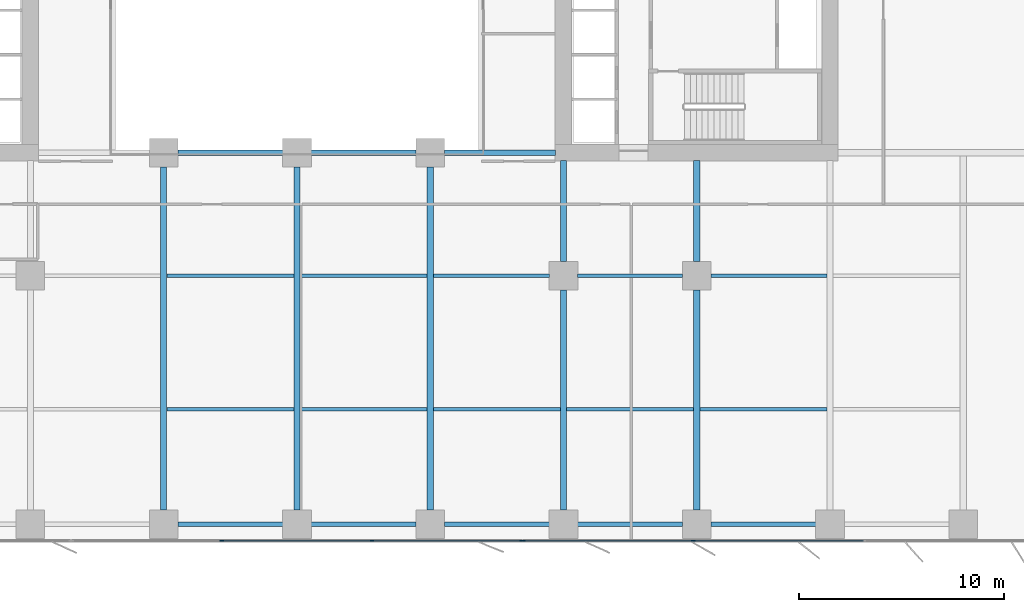
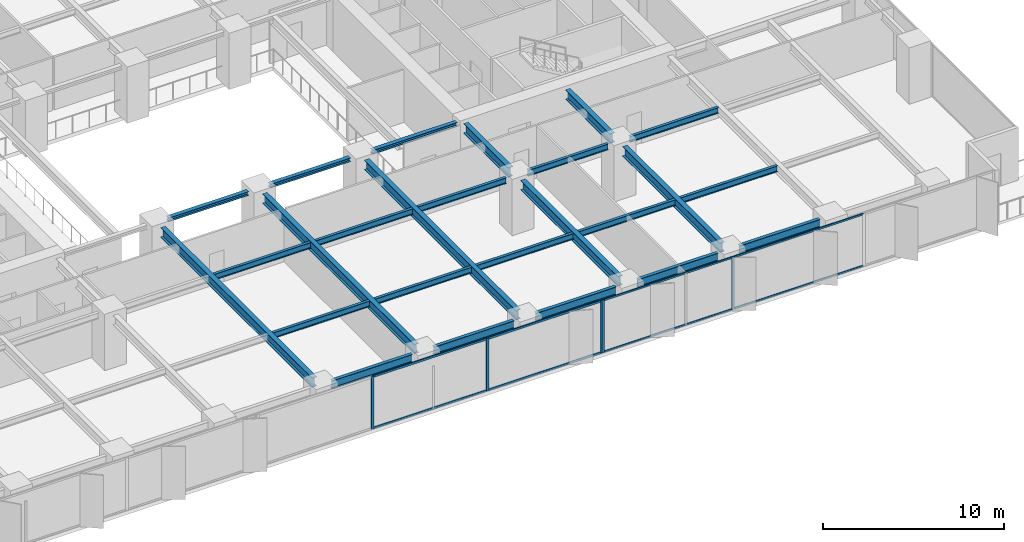
# One storey, part 5 of 20: 25 beams, 13 members, 2 elements without a shape of their own.
"""IFC4 building model written with IfcOpenShell, lengths in metres."""

from ifc_helpers import new_model, si_unit, direction, frame, origin, origin_2d, place, context, subcontext, project, spatial, rectangle, i_section, extrude, material, layer, layer_set, material_profile, profile_set, type_object, element, aggregate, save


model = new_model("IFC4")

# Units and contexts
model_context = context("Model", 3, precision=1e-05, world=origin(), true_north=direction((0.0, 1.0)))
body_context = subcontext(model_context, "Body", "Model", "MODEL_VIEW")
ifc_project = project(units=[si_unit("LENGTHUNIT", "METRE"), si_unit("AREAUNIT", "SQUARE_METRE"), si_unit("VOLUMEUNIT", "CUBIC_METRE"), si_unit("PLANEANGLEUNIT", "RADIAN"), si_unit("MASSUNIT", "GRAM", prefix="KILO")], contexts=[model_context])

# Site, building, storey
site_placement = place(None, origin())
site = spatial("IfcSite", under=ifc_project, at=site_placement, CompositionType="ELEMENT")
building_placement = place(site_placement, origin())
building = spatial("IfcBuilding", under=site, at=building_placement, Name="Putna Gate Headquarters", CompositionType="ELEMENT")
storey_placement = place(building_placement, frame((0.0, 0.0, 46.800048828125)))
storey = spatial("IfcBuildingStorey", under=building, at=storey_placement, Name="L10", CompositionType="ELEMENT", Elevation=46.800048828125)

# Beams
ifc_material_1 = material(Name="Steel S355J2", Category="steel")
ifc_material_profile_1 = material_profile(ifc_material_1, i_section(OverallWidth=0.260009765625, OverallDepth=0.260009765625, WebThickness=0.010009765625, FlangeThickness=0.017578125, at=origin_2d()), Name="Steel S355J2")
ifc_profile_set_1 = profile_set([ifc_material_profile_1], Name="Steel S355J2")
beam_type_1 = type_object("IfcBeamType", Name="BM-ATRIUM-HEB260", PredefinedType="BEAM", material=ifc_profile_set_1)
for number, where, z_axis, x_axis, name in (
    (1, (33.18798828125, 19.0, 3.419921875), (1.0, 0.0, 0.0), (0.0, 1.0, 0.0), "L10 Atrium Edge Beam AS2"),
    (2, (39.68798828125, 19.0, 3.419921875), (1.0, 0.0, 0.0), (0.0, 1.0, 0.0), "L10 Atrium Edge Beam AS3"),
):
    element("IfcBeam", number, at=place(storey_placement, frame(where, z_axis=z_axis, x_axis=x_axis)), inside=storey, type_object=beam_type_1, Name=name, PredefinedType="BEAM", context=body_context, shape_type="SweptSolid", body=[
        extrude(i_section(OverallWidth=0.260009765625, OverallDepth=0.260009765625, WebThickness=0.010009765625, FlangeThickness=0.017578125, at=origin_2d()), origin(), (0.0, 0.0, 1.0), 5.1240234375),
    ])
beam_1_placement = place(storey_placement, frame((46.18798828125, 19.0, 3.419921875), z_axis=(1.0, 0.0, 0.0), x_axis=(0.0, 1.0, 0.0)))
element("IfcBeam", 3, at=beam_1_placement, inside=storey, type_object=beam_type_1, Name="L10 Atrium Edge Beam AS4", PredefinedType="BEAM", context=body_context, shape_type="SweptSolid", body=[
    extrude(i_section(OverallWidth=0.260009765625, OverallDepth=0.260009765625, WebThickness=0.010009765625, FlangeThickness=0.017578125, at=origin_2d()), origin(), (0.0, 0.0, 1.0), 5.427001953125),
])
ifc_material_profile_2 = material_profile(ifc_material_1, i_section(OverallWidth=0.300048828125, OverallDepth=0.64990234375, WebThickness=0.01611328125, FlangeThickness=0.031005859375, at=origin_2d()), Name="Steel S355J2")
ifc_profile_set_2 = profile_set([ifc_material_profile_2], Name="Steel S355J2")
beam_type_2 = type_object("IfcBeamType", Name="BM-GIRD-Z1-HEB650", PredefinedType="USERDEFINED", material=ifc_profile_set_2)
for number, where, z_axis, x_axis, name in (
    (4, (32.5, 1.568115234375, 3.224853515625), (0.0, 1.0, 0.0), (-1.0, 0.0, 0.0), "L10 South Primary Girder X32"),
    (5, (39.0, 1.568115234375, 3.224853515625), (0.0, 1.0, 0.0), (-1.0, 0.0, 0.0), "L10 South Primary Girder X39"),
    (6, (45.5, 1.568115234375, 3.224853515625), (0.0, 1.0, 0.0), (-1.0, 0.0, 0.0), "L10 South Primary Girder X45"),
):
    element("IfcBeam", number, at=place(storey_placement, frame(where, z_axis=z_axis, x_axis=x_axis)), inside=storey, type_object=beam_type_2, Name=name, ObjectType="GIRDER", PredefinedType="USERDEFINED", context=body_context, shape_type="SweptSolid", body=[
        extrude(i_section(OverallWidth=0.300048828125, OverallDepth=0.64990234375, WebThickness=0.01611328125, FlangeThickness=0.031005859375, at=origin_2d()), origin(), (0.0, 0.0, 1.0), 16.743896484375),
    ])
beam_2_placement = place(storey_placement, frame((52.0, 1.568115234375, 3.224853515625), z_axis=(0.0, 1.0, 0.0), x_axis=(-1.0, 0.0, 0.0)))
element("IfcBeam", 7, at=beam_2_placement, inside=storey, type_object=beam_type_2, Name="L10 South Primary Girder X52-1", ObjectType="GIRDER", PredefinedType="USERDEFINED", context=body_context, shape_type="SweptSolid", body=[
    extrude(i_section(OverallWidth=0.300048828125, OverallDepth=0.64990234375, WebThickness=0.01611328125, FlangeThickness=0.031005859375, at=origin_2d()), origin(), (0.0, 0.0, 1.0), 10.743896484375),
])
beam_3_placement = place(storey_placement, frame((52.0, 13.68798828125, 3.224853515625), z_axis=(0.0, 1.0, 0.0), x_axis=(-1.0, 0.0, 0.0)))
element("IfcBeam", 8, at=beam_3_placement, inside=storey, type_object=beam_type_2, Name="L10 South Primary Girder X52-2", ObjectType="GIRDER", PredefinedType="USERDEFINED", context=body_context, shape_type="SweptSolid", body=[
    extrude(i_section(OverallWidth=0.300048828125, OverallDepth=0.64990234375, WebThickness=0.01611328125, FlangeThickness=0.031005859375, at=origin_2d()), origin(), (0.0, 0.0, 1.0), 4.927001953125),
])
beam_4_placement = place(storey_placement, frame((58.5, 1.568115234375, 3.224853515625), z_axis=(0.0, 1.0, 0.0), x_axis=(-1.0, 0.0, 0.0)))
element("IfcBeam", 9, at=beam_4_placement, inside=storey, type_object=beam_type_2, Name="L10 South Primary Girder X58-1", ObjectType="GIRDER", PredefinedType="USERDEFINED", context=body_context, shape_type="SweptSolid", body=[
    extrude(i_section(OverallWidth=0.300048828125, OverallDepth=0.64990234375, WebThickness=0.01611328125, FlangeThickness=0.031005859375, at=origin_2d()), origin(), (0.0, 0.0, 1.0), 10.743896484375),
])
beam_5_placement = place(storey_placement, frame((58.5, 13.68798828125, 3.224853515625), z_axis=(0.0, 1.0, 0.0), x_axis=(-1.0, 0.0, 0.0)))
element("IfcBeam", 10, at=beam_5_placement, inside=storey, type_object=beam_type_2, Name="L10 South Primary Girder X58-2", ObjectType="GIRDER", PredefinedType="USERDEFINED", context=body_context, shape_type="SweptSolid", body=[
    extrude(i_section(OverallWidth=0.300048828125, OverallDepth=0.64990234375, WebThickness=0.01611328125, FlangeThickness=0.031005859375, at=origin_2d()), origin(), (0.0, 0.0, 1.0), 4.927001953125),
])
ifc_material_profile_3 = material_profile(ifc_material_1, i_section(OverallWidth=0.179931640625, OverallDepth=0.39990234375, WebThickness=0.008544921875, FlangeThickness=0.013427734375, at=origin_2d()), Name="Steel S355J2")
ifc_profile_set_3 = profile_set([ifc_material_profile_3], Name="Steel S355J2")
beam_type_3 = type_object("IfcBeamType", Name="BM-SEC-Z1-IPE400", PredefinedType="BEAM", material=ifc_profile_set_3)
for number, where, z_axis, x_axis, name in (
    (11, (32.654052734375, 6.5, 3.349853515625), (1.0, 0.0, 0.0), (0.0, 1.0, 0.0), "L10 South Secondary Beam 5"),
    (12, (32.654052734375, 13.0, 3.349853515625), (1.0, 0.0, 0.0), (0.0, 1.0, 0.0), "L10 South Secondary Beam 5"),
    (13, (39.154052734375, 6.5, 3.349853515625), (1.0, 0.0, 0.0), (0.0, 1.0, 0.0), "L10 South Secondary Beam 6"),
    (14, (39.154052734375, 13.0, 3.349853515625), (1.0, 0.0, 0.0), (0.0, 1.0, 0.0), "L10 South Secondary Beam 6"),
    (15, (45.654052734375, 6.5, 3.349853515625), (1.0, 0.0, 0.0), (0.0, 1.0, 0.0), "L10 South Secondary Beam 7"),
):
    element("IfcBeam", number, at=place(storey_placement, frame(where, z_axis=z_axis, x_axis=x_axis)), inside=storey, type_object=beam_type_3, Name=name, PredefinedType="BEAM", context=body_context, shape_type="SweptSolid", body=[
        extrude(i_section(OverallWidth=0.179931640625, OverallDepth=0.39990234375, WebThickness=0.008544921875, FlangeThickness=0.013427734375, at=origin_2d()), origin(), (0.0, 0.0, 1.0), 6.19189453125),
    ])
beam_6_placement = place(storey_placement, frame((45.654052734375, 13.0, 3.349853515625), z_axis=(1.0, 0.0, 0.0), x_axis=(0.0, 1.0, 0.0)))
element("IfcBeam", 16, at=beam_6_placement, inside=storey, type_object=beam_type_3, Name="L10 South Secondary Beam 7", PredefinedType="BEAM", context=body_context, shape_type="SweptSolid", body=[
    extrude(i_section(OverallWidth=0.179931640625, OverallDepth=0.39990234375, WebThickness=0.008544921875, FlangeThickness=0.013427734375, at=origin_2d()), origin(), (0.0, 0.0, 1.0), 5.657958984375),
])
beam_7_placement = place(storey_placement, frame((52.154052734375, 6.5, 3.349853515625), z_axis=(1.0, 0.0, 0.0), x_axis=(0.0, 1.0, 0.0)))
element("IfcBeam", 17, at=beam_7_placement, inside=storey, type_object=beam_type_3, Name="L10 South Secondary Beam 8", PredefinedType="BEAM", context=body_context, shape_type="SweptSolid", body=[
    extrude(i_section(OverallWidth=0.179931640625, OverallDepth=0.39990234375, WebThickness=0.008544921875, FlangeThickness=0.013427734375, at=origin_2d()), origin(), (0.0, 0.0, 1.0), 6.19189453125),
])
beam_8_placement = place(storey_placement, frame((52.68798828125, 13.0, 3.349853515625), z_axis=(1.0, 0.0, 0.0), x_axis=(0.0, 1.0, 0.0)))
element("IfcBeam", 18, at=beam_8_placement, inside=storey, type_object=beam_type_3, Name="L10 South Secondary Beam 8", PredefinedType="BEAM", context=body_context, shape_type="SweptSolid", body=[
    extrude(i_section(OverallWidth=0.179931640625, OverallDepth=0.39990234375, WebThickness=0.008544921875, FlangeThickness=0.013427734375, at=origin_2d()), origin(), (0.0, 0.0, 1.0), 5.1240234375),
])
beam_9_placement = place(storey_placement, frame((58.654052734375, 6.5, 3.349853515625), z_axis=(1.0, 0.0, 0.0), x_axis=(0.0, 1.0, 0.0)))
element("IfcBeam", 19, at=beam_9_placement, inside=storey, type_object=beam_type_3, Name="L10 South Secondary Beam 9", PredefinedType="BEAM", context=body_context, shape_type="SweptSolid", body=[
    extrude(i_section(OverallWidth=0.179931640625, OverallDepth=0.39990234375, WebThickness=0.008544921875, FlangeThickness=0.013427734375, at=origin_2d()), origin(), (0.0, 0.0, 1.0), 6.19189453125),
])
beam_10_placement = place(storey_placement, frame((59.18798828125, 13.0, 3.349853515625), z_axis=(1.0, 0.0, 0.0), x_axis=(0.0, 1.0, 0.0)))
element("IfcBeam", 20, at=beam_10_placement, inside=storey, type_object=beam_type_3, Name="L10 South Secondary Beam 9", PredefinedType="BEAM", context=body_context, shape_type="SweptSolid", body=[
    extrude(i_section(OverallWidth=0.179931640625, OverallDepth=0.39990234375, WebThickness=0.008544921875, FlangeThickness=0.013427734375, at=origin_2d()), origin(), (0.0, 0.0, 1.0), 5.657958984375),
])
ifc_material_profile_4 = material_profile(ifc_material_1, i_section(OverallWidth=0.2099609375, OverallDepth=0.550048828125, WebThickness=0.010986328125, FlangeThickness=0.01708984375, at=origin_2d()), Name="Steel S355J2")
ifc_profile_set_4 = profile_set([ifc_material_profile_4], Name="Steel S355J2")
beam_type_4 = type_object("IfcBeamType", Name="BM-SPAN-Z1-IPE550", PredefinedType="SPANDREL", material=ifc_profile_set_4)
for number, where, z_axis, x_axis, name in (
    (21, (33.18798828125, 0.8798828125, 3.27490234375), (1.0, 0.0, 0.0), (0.0, 1.0, 0.0), "L10 S Perimeter Spandrel 5"),
    (22, (39.68798828125, 0.8798828125, 3.27490234375), (1.0, 0.0, 0.0), (0.0, 1.0, 0.0), "L10 S Perimeter Spandrel 6"),
    (23, (46.18798828125, 0.8798828125, 3.27490234375), (1.0, 0.0, 0.0), (0.0, 1.0, 0.0), "L10 S Perimeter Spandrel 7"),
    (24, (52.68798828125, 0.8798828125, 3.27490234375), (1.0, 0.0, 0.0), (0.0, 1.0, 0.0), "L10 S Perimeter Spandrel 8"),
    (25, (59.18798828125, 0.8798828125, 3.27490234375), (1.0, 0.0, 0.0), (0.0, 1.0, 0.0), "L10 S Perimeter Spandrel 9"),
):
    element("IfcBeam", number, at=place(storey_placement, frame(where, z_axis=z_axis, x_axis=x_axis)), inside=storey, type_object=beam_type_4, Name=name, PredefinedType="SPANDREL", context=body_context, shape_type="SweptSolid", body=[
        extrude(i_section(OverallWidth=0.2099609375, OverallDepth=0.550048828125, WebThickness=0.010986328125, FlangeThickness=0.01708984375, at=origin_2d()), origin(), (0.0, 0.0, 1.0), 5.1240234375),
    ])

# Curtain wall, members
ifc_material_2 = material(Name="Anodised bronze aluminium curtain wall", Category="aluminium")
ifc_layer_1 = layer(ifc_material_2, 0.179931640625)
ifc_layer_set_1 = layer_set([ifc_layer_1], Name="Anodised bronze aluminium curtain wall")
curtain_wall_type_1 = type_object("IfcCurtainWallType", Name="CW-SYS-Z1", PredefinedType="USERDEFINED", material=ifc_layer_set_1)
curtain_wall_1_placement = place(storey_placement, origin())
curtain_wall_1 = element("IfcCurtainWall", 26, at=curtain_wall_1_placement, inside=storey, type_object=curtain_wall_type_1, Name="L10 South East Curtain Wall", ObjectType="STICK CURTAIN WALL", PredefinedType="USERDEFINED")
ifc_material_3 = material(Name="Anodised bronze aluminium EN AW-6060", Category="aluminium")
ifc_material_profile_5 = material_profile(ifc_material_3, rectangle(XDim=0.070068359375, YDim=0.179931640625, at=origin_2d()), Name="Anodised bronze aluminium EN AW-6060")
ifc_profile_set_5 = profile_set([ifc_material_profile_5], Name="Anodised bronze aluminium EN AW-6060")
member_type_1 = type_object("IfcMemberType", Name="MULL-CWM-1", PredefinedType="MULLION", material=ifc_profile_set_5)
member_1_placement = place(storey_placement, frame((50.034912109375, 0.080078125, 0.0), z_axis=(0.0, 0.0, 1.0), x_axis=(0.0, 1.0, 0.0)))
member_1 = element("IfcMember", 27, at=member_1_placement, type_object=member_type_1, Name="CWS-1 mullion 1", PredefinedType="MULLION", context=body_context, shape_type="SweptSolid", body=[
    extrude(rectangle(XDim=0.070068359375, YDim=0.179931640625, at=origin_2d()), origin(), (0.0, 0.0, 1.0), 3.550048828125),
])
member_2_placement = place(storey_placement, frame((58.333251953125, 0.080078125, 0.0), z_axis=(0.0, 0.0, 1.0), x_axis=(0.0, 1.0, 0.0)))
member_2 = element("IfcMember", 28, at=member_2_placement, type_object=member_type_1, Name="CWS-1 mullion 2", PredefinedType="MULLION", context=body_context, shape_type="SweptSolid", body=[
    extrude(rectangle(XDim=0.070068359375, YDim=0.179931640625, at=origin_2d()), origin(), (0.0, 0.0, 1.0), 3.550048828125),
])

ifc_layer_2 = layer(ifc_material_2, 0.179931640625)
ifc_layer_set_2 = layer_set([ifc_layer_2], Name="Anodised bronze aluminium curtain wall")
curtain_wall_type_2 = type_object("IfcCurtainWallType", Name="CW-SYS-ATR", PredefinedType="USERDEFINED", material=ifc_layer_set_2)
curtain_wall_2_placement = place(storey_placement, origin())
curtain_wall_2 = element("IfcCurtainWall", 29, at=curtain_wall_2_placement, inside=storey, type_object=curtain_wall_type_2, Name="L10 South Atrium Clear Glazing", ObjectType="ATRIUM GLAZING", PredefinedType="USERDEFINED")
ifc_material_profile_6 = material_profile(ifc_material_3, rectangle(XDim=0.070068359375, YDim=0.179931640625, at=origin_2d()), Name="Anodised bronze aluminium EN AW-6060")
ifc_profile_set_6 = profile_set([ifc_material_profile_6], Name="Anodised bronze aluminium EN AW-6060")
member_type_2 = type_object("IfcMemberType", Name="MULL-CWM-AT", PredefinedType="MULLION", material=ifc_profile_set_6)
member_3_placement = place(storey_placement, frame((35.333251953125, 0.080078125, 0.0), z_axis=(0.0, 0.0, 1.0), x_axis=(0.0, 1.0, 0.0)))
member_3 = element("IfcMember", 30, at=member_3_placement, type_object=member_type_2, Name="CWS-AT mullion 2", PredefinedType="MULLION", context=body_context, shape_type="SweptSolid", body=[
    extrude(rectangle(XDim=0.070068359375, YDim=0.179931640625, at=origin_2d()), origin(), (0.0, 0.0, 1.0), 3.550048828125),
])
member_4_placement = place(storey_placement, frame((42.666748046875, 0.080078125, 0.0), z_axis=(0.0, 0.0, 1.0), x_axis=(0.0, 1.0, 0.0)))
member_4 = element("IfcMember", 31, at=member_4_placement, type_object=member_type_2, Name="CWS-AT mullion 3", PredefinedType="MULLION", context=body_context, shape_type="SweptSolid", body=[
    extrude(rectangle(XDim=0.070068359375, YDim=0.179931640625, at=origin_2d()), origin(), (0.0, 0.0, 1.0), 3.550048828125),
])
member_5_placement = place(storey_placement, frame((49.965087890625, 0.080078125, 0.0), z_axis=(0.0, 0.0, 1.0), x_axis=(0.0, 1.0, 0.0)))
member_5 = element("IfcMember", 32, at=member_5_placement, type_object=member_type_2, Name="CWS-AT mullion 4", PredefinedType="MULLION", context=body_context, shape_type="SweptSolid", body=[
    extrude(rectangle(XDim=0.070068359375, YDim=0.179931640625, at=origin_2d()), origin(), (0.0, 0.0, 1.0), 3.550048828125),
])

# Member
ifc_material_profile_7 = material_profile(ifc_material_3, rectangle(XDim=0.06494140625, YDim=0.1201171875, at=origin_2d()), Name="Anodised bronze aluminium EN AW-6060")
ifc_profile_set_7 = profile_set([ifc_material_profile_7], Name="Anodised bronze aluminium EN AW-6060")
member_type_3 = type_object("IfcMemberType", Name="TRAN-CWT-1", PredefinedType="USERDEFINED", material=ifc_profile_set_7)
member_6_placement = place(storey_placement, frame((50.070068359375, 0.080078125, 0.032470703125), z_axis=(1.0, 0.0, 0.0), x_axis=(0.0, 1.0, 0.0)))
member_6 = element("IfcMember", 33, at=member_6_placement, type_object=member_type_3, Name="CWS-1 transom 1.1", ObjectType="TRANSOM", PredefinedType="USERDEFINED", context=body_context, shape_type="SweptSolid", body=[
    extrude(rectangle(XDim=0.06494140625, YDim=0.1201171875, at=origin_2d()), origin(), (0.0, 0.0, 1.0), 8.228271484375),
])

member_7_placement = place(storey_placement, frame((50.070068359375, 0.080078125, 3.517333984375), z_axis=(1.0, 0.0, 0.0), x_axis=(0.0, 1.0, 0.0)))
member_7 = element("IfcMember", 34, at=member_7_placement, type_object=member_type_3, Name="CWS-1 transom 1.2", ObjectType="TRANSOM", PredefinedType="USERDEFINED", context=body_context, shape_type="SweptSolid", body=[
    extrude(rectangle(XDim=0.06494140625, YDim=0.1201171875, at=origin_2d()), origin(), (0.0, 0.0, 1.0), 8.228271484375),
])

member_8_placement = place(storey_placement, frame((58.368408203125, 0.080078125, 0.032470703125), z_axis=(1.0, 0.0, 0.0), x_axis=(0.0, 1.0, 0.0)))
member_8 = element("IfcMember", 35, at=member_8_placement, type_object=member_type_3, Name="CWS-1 transom 2.1", ObjectType="TRANSOM", PredefinedType="USERDEFINED", context=body_context, shape_type="SweptSolid", body=[
    extrude(rectangle(XDim=0.06494140625, YDim=0.1201171875, at=origin_2d()), origin(), (0.0, 0.0, 1.0), 8.26318359375),
])

member_9_placement = place(storey_placement, frame((58.368408203125, 0.080078125, 3.517333984375), z_axis=(1.0, 0.0, 0.0), x_axis=(0.0, 1.0, 0.0)))
member_9 = element("IfcMember", 36, at=member_9_placement, type_object=member_type_3, Name="CWS-1 transom 2.2", ObjectType="TRANSOM", PredefinedType="USERDEFINED", context=body_context, shape_type="SweptSolid", body=[
    extrude(rectangle(XDim=0.06494140625, YDim=0.1201171875, at=origin_2d()), origin(), (0.0, 0.0, 1.0), 8.26318359375),
])

aggregate(curtain_wall_1, [member_1, member_2, member_6, member_7, member_8, member_9])

ifc_material_profile_8 = material_profile(ifc_material_3, rectangle(XDim=0.070068359375, YDim=0.139892578125, at=origin_2d()), Name="Anodised bronze aluminium EN AW-6060")
ifc_profile_set_8 = profile_set([ifc_material_profile_8], Name="Anodised bronze aluminium EN AW-6060")
member_type_4 = type_object("IfcMemberType", Name="TRAN-CWT-AT", PredefinedType="USERDEFINED", material=ifc_profile_set_8)
member_10_placement = place(storey_placement, frame((35.368408203125, 0.080078125, 0.034912109375), z_axis=(1.0, 0.0, 0.0), x_axis=(0.0, 1.0, 0.0)))
member_10 = element("IfcMember", 37, at=member_10_placement, type_object=member_type_4, Name="CWS-AT transom 2.1", ObjectType="TRANSOM", PredefinedType="USERDEFINED", context=body_context, shape_type="SweptSolid", body=[
    extrude(rectangle(XDim=0.070068359375, YDim=0.139892578125, at=origin_2d()), origin(), (0.0, 0.0, 1.0), 7.26318359375),
])

member_11_placement = place(storey_placement, frame((35.368408203125, 0.080078125, 3.514892578125), z_axis=(1.0, 0.0, 0.0), x_axis=(0.0, 1.0, 0.0)))
member_11 = element("IfcMember", 38, at=member_11_placement, type_object=member_type_4, Name="CWS-AT transom 2.2", ObjectType="TRANSOM", PredefinedType="USERDEFINED", context=body_context, shape_type="SweptSolid", body=[
    extrude(rectangle(XDim=0.070068359375, YDim=0.139892578125, at=origin_2d()), origin(), (0.0, 0.0, 1.0), 7.26318359375),
])

member_12_placement = place(storey_placement, frame((42.70166015625, 0.080078125, 0.034912109375), z_axis=(1.0, 0.0, 0.0), x_axis=(0.0, 1.0, 0.0)))
member_12 = element("IfcMember", 39, at=member_12_placement, type_object=member_type_4, Name="CWS-AT transom 3.1", ObjectType="TRANSOM", PredefinedType="USERDEFINED", context=body_context, shape_type="SweptSolid", body=[
    extrude(rectangle(XDim=0.070068359375, YDim=0.139892578125, at=origin_2d()), origin(), (0.0, 0.0, 1.0), 7.228271484375),
])

member_13_placement = place(storey_placement, frame((42.70166015625, 0.080078125, 3.514892578125), z_axis=(1.0, 0.0, 0.0), x_axis=(0.0, 1.0, 0.0)))
member_13 = element("IfcMember", 40, at=member_13_placement, type_object=member_type_4, Name="CWS-AT transom 3.2", ObjectType="TRANSOM", PredefinedType="USERDEFINED", context=body_context, shape_type="SweptSolid", body=[
    extrude(rectangle(XDim=0.070068359375, YDim=0.139892578125, at=origin_2d()), origin(), (0.0, 0.0, 1.0), 7.228271484375),
])

aggregate(curtain_wall_2, [member_3, member_4, member_5, member_10, member_11, member_12, member_13])

save(model, "model.ifc")
